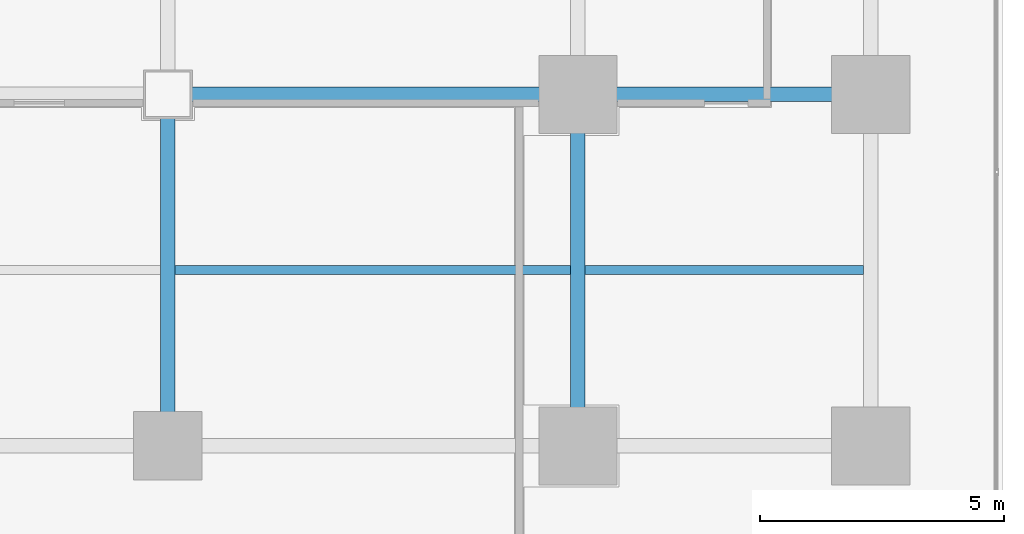
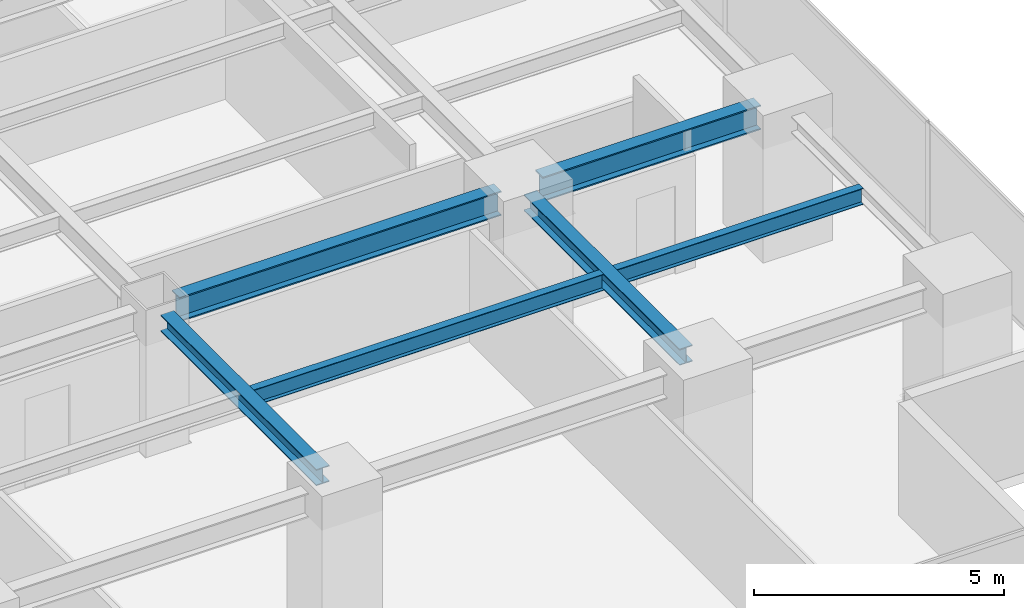
# One storey, part 13 of 37: 6 beams.
"""IFC4 building model written with IfcOpenShell, lengths in metres."""

from ifc_helpers import new_model, si_unit, direction, frame, origin, origin_2d, place, context, subcontext, project, spatial, i_section, extrude, source, transform, mapped, material, material_profile, profile_set, type_object, element, save


model = new_model("IFC4")

# Units and contexts
model_context = context("Model", 3, precision=1e-05, world=origin(), true_north=direction((0.0, 1.0)))
body_context = subcontext(model_context, "Body", "Model", "MODEL_VIEW")
ifc_project = project(units=[si_unit("LENGTHUNIT", "METRE"), si_unit("AREAUNIT", "SQUARE_METRE"), si_unit("VOLUMEUNIT", "CUBIC_METRE"), si_unit("PLANEANGLEUNIT", "RADIAN"), si_unit("MASSUNIT", "GRAM", prefix="KILO")], contexts=[model_context])

# Site, building, storey
site_placement = place(None, origin())
site = spatial("IfcSite", under=ifc_project, at=site_placement, CompositionType="ELEMENT")
building_placement = place(site_placement, origin())
building = spatial("IfcBuilding", under=site, at=building_placement, Name="Sumidabori Civic Tower", CompositionType="ELEMENT")
storey_placement = place(building_placement, frame((0.0, 0.0, 95.60009765625)))
storey = spatial("IfcBuildingStorey", under=building, at=storey_placement, Name="L24", CompositionType="ELEMENT", Elevation=95.60009765625)

# Beams
ifc_material = material(Name="Steel SN490", Category="steel")
ifc_material_profile_1 = material_profile(ifc_material, i_section(OverallWidth=0.300048828125, OverallDepth=0.60009765625, WebThickness=0.015380859375, FlangeThickness=0.030029296875, at=origin_2d()), Name="HE 600 B")
ifc_profile_set_1 = profile_set([ifc_material_profile_1], Name="Steel SN490")
beam_type_1 = type_object("IfcBeamType", Name="BM-GIRD-600", PredefinedType="BEAM", material=ifc_profile_set_1)
shared_shape_1 = source(origin(), body_context, "Body", "SweptSolid", [
    extrude(i_section(OverallWidth=0.300048828125, OverallDepth=0.60009765625, WebThickness=0.015380859375, FlangeThickness=0.030029296875, at=origin_2d()), origin(), (0.0, 0.0, 1.0), 5.0400390625),
])
beam_1_placement = place(storey_placement, frame((17.280029296875, -10.800048828125, 3.059814453125), z_axis=(1.0, 0.0, 0.0), x_axis=(0.0, 1.0, 0.0)))
element("IfcBeam", 1, at=beam_1_placement, inside=storey, type_object=beam_type_1, Name="Primary Girder L24 GX-12", PredefinedType="BEAM", context=body_context, shape_type="MappedRepresentation", body=[
    mapped(shared_shape_1, transform((0.0, 0.0, 0.0), x_axis=(1.0, 0.0, 0.0), y_axis=(0.0, 1.0, 0.0), z_axis=(0.0, 0.0, 1.0), scale=1.0)),
])
shared_shape_2 = source(origin(), body_context, "Body", "SweptSolid", [
    extrude(i_section(OverallWidth=0.300048828125, OverallDepth=0.60009765625, WebThickness=0.015380859375, FlangeThickness=0.030029296875, at=origin_2d()), origin(), (0.0, 0.0, 1.0), 7.440185546875),
])
beam_2_placement = place(storey_placement, frame((8.8798828125, -10.800048828125, 3.059814453125), z_axis=(1.0, 0.0, 0.0), x_axis=(0.0, 1.0, 0.0)))
element("IfcBeam", 2, at=beam_2_placement, inside=storey, type_object=beam_type_1, Name="Primary Girder L24 GX-11", PredefinedType="BEAM", context=body_context, shape_type="MappedRepresentation", body=[
    mapped(shared_shape_2, transform((0.0, 0.0, 0.0), x_axis=(1.0, 0.0, 0.0), y_axis=(0.0, 1.0, 0.0), z_axis=(0.0, 0.0, 1.0), scale=1.0)),
])
ifc_material_profile_2 = material_profile(ifc_material, i_section(OverallWidth=0.300048828125, OverallDepth=0.39990234375, WebThickness=0.013427734375, FlangeThickness=0.02392578125, at=origin_2d()), Name="HE 400 B")
ifc_profile_set_2 = profile_set([ifc_material_profile_2], Name="Steel SN490")
beam_type_2 = type_object("IfcBeamType", Name="BM-GIRD-400", PredefinedType="BEAM", material=ifc_profile_set_2)
shared_shape_3 = source(origin(), body_context, "Body", "SweptSolid", [
    extrude(i_section(OverallWidth=0.300048828125, OverallDepth=0.39990234375, WebThickness=0.013427734375, FlangeThickness=0.02392578125, at=origin_2d()), origin(), (0.0, 0.0, 1.0), 6.239990234375),
])
for number, where, z_axis, x_axis, name in (
    (3, (8.39990234375, -17.52001953125, 3.159912109375), (0.0, 1.0, 0.0), (-1.0, 0.0, 0.0), "Primary Girder L24 GY-33"),
    (4, (16.800048828125, -17.52001953125, 3.159912109375), (0.0, 1.0, 0.0), (-1.0, 0.0, 0.0), "Primary Girder L24 GY-35"),
):
    element("IfcBeam", number, at=place(storey_placement, frame(where, z_axis=z_axis, x_axis=x_axis)), inside=storey, type_object=beam_type_2, Name=name, PredefinedType="BEAM", context=body_context, shape_type="MappedRepresentation", body=[
        mapped(shared_shape_3, transform((0.0, 0.0, 0.0), x_axis=(1.0, 0.0, 0.0), y_axis=(0.0, 1.0, 0.0), z_axis=(0.0, 0.0, 1.0), scale=1.0)),
    ])
ifc_material_profile_3 = material_profile(ifc_material, i_section(OverallWidth=0.179931640625, OverallDepth=0.39990234375, WebThickness=0.008544921875, FlangeThickness=0.013427734375, at=origin_2d()), Name="IPE 400")
ifc_profile_set_3 = profile_set([ifc_material_profile_3], Name="Steel SN490")
beam_type_3 = type_object("IfcBeamType", Name="BM-JST-400", PredefinedType="JOIST", material=ifc_profile_set_3)
shared_shape_4 = source(origin(), body_context, "Body", "SweptSolid", [
    extrude(i_section(OverallWidth=0.179931640625, OverallDepth=0.39990234375, WebThickness=0.008544921875, FlangeThickness=0.013427734375, at=origin_2d()), origin(), (0.0, 0.0, 1.0), 5.699951171875),
])
beam_3_placement = place(storey_placement, frame((16.949951171875, -14.39990234375, 3.159912109375), z_axis=(1.0, 0.0, 0.0), x_axis=(0.0, 1.0, 0.0)))
element("IfcBeam", 5, at=beam_3_placement, inside=storey, type_object=beam_type_3, Name="Outer Bay Floor Joist L24 JSTO-52", PredefinedType="JOIST", context=body_context, shape_type="MappedRepresentation", body=[
    mapped(shared_shape_4, transform((0.0, 0.0, 0.0), x_axis=(1.0, 0.0, 0.0), y_axis=(0.0, 1.0, 0.0), z_axis=(0.0, 0.0, 1.0), scale=1.0)),
])
shared_shape_5 = source(origin(), body_context, "Body", "SweptSolid", [
    extrude(i_section(OverallWidth=0.179931640625, OverallDepth=0.39990234375, WebThickness=0.008544921875, FlangeThickness=0.013427734375, at=origin_2d()), origin(), (0.0, 0.0, 1.0), 8.099853515625),
])
beam_4_placement = place(storey_placement, frame((8.550048828125, -14.39990234375, 3.159912109375), z_axis=(1.0, 0.0, 0.0), x_axis=(0.0, 1.0, 0.0)))
element("IfcBeam", 6, at=beam_4_placement, inside=storey, type_object=beam_type_3, Name="South Bay Floor Joist L24 JSTS-58", PredefinedType="JOIST", context=body_context, shape_type="MappedRepresentation", body=[
    mapped(shared_shape_5, transform((0.0, 0.0, 0.0), x_axis=(1.0, 0.0, 0.0), y_axis=(0.0, 1.0, 0.0), z_axis=(0.0, 0.0, 1.0), scale=1.0)),
])

save(model, "model.ifc")
